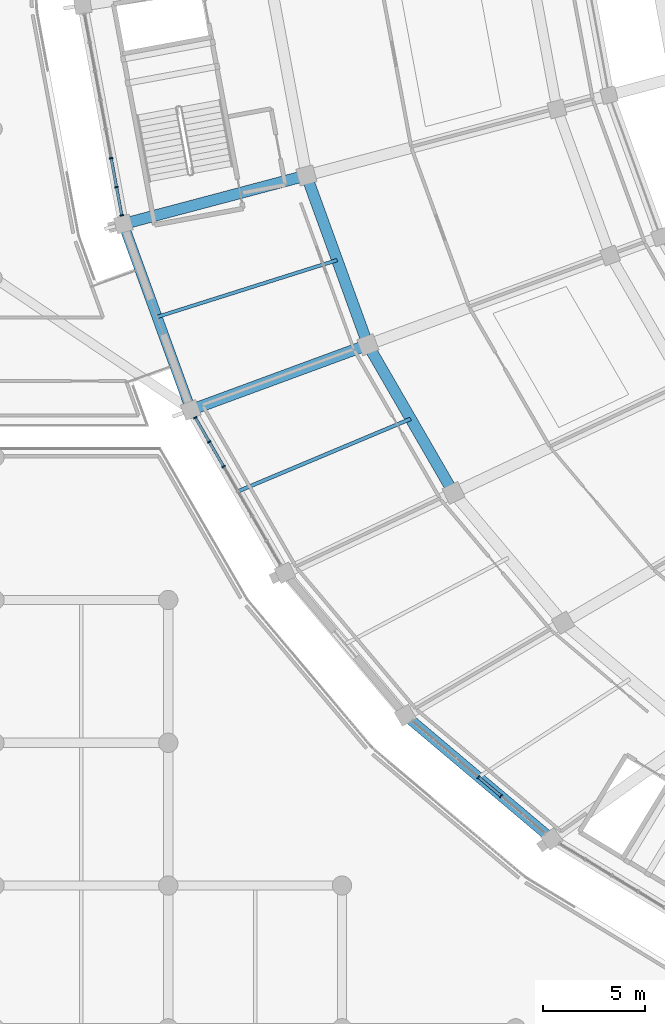
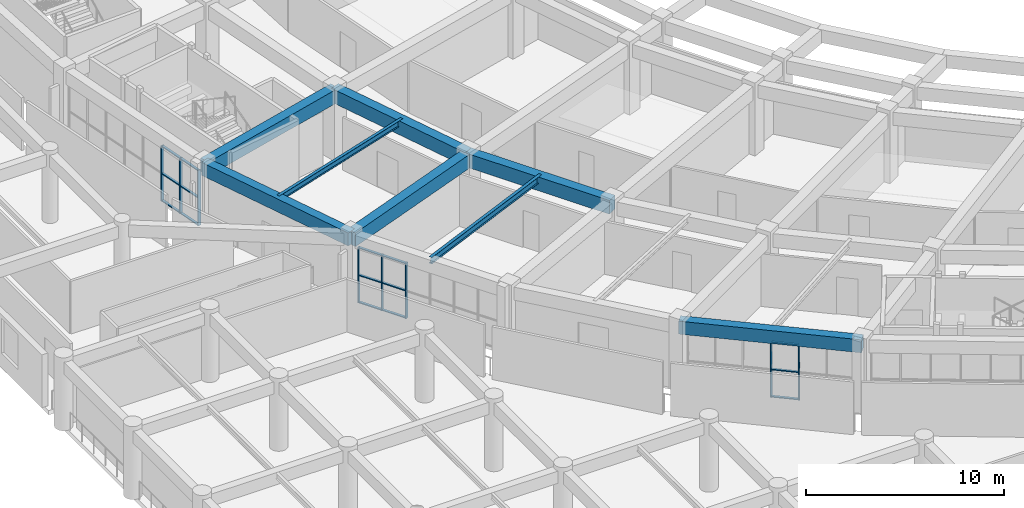
# One storey, part 18 of 145: 23 members, 8 beams, 3 elements without a shape of their own.
"""IFC4 building model written with IfcOpenShell, lengths in metres."""

import ifcopenshell
import ifcopenshell.guid

model = None  # the IFC model being written
_history = None  # IfcOwnerHistory: only IFC2X3 demands one
_inside = {}  # id of a spatial element -> (the spatial element, [elements in it])
_under = {}  # id of a project, library or spatial element -> (it, [spatial elements below it])
_declared = {}  # id of a project -> (the project, [libraries it declares])
_typed = {}  # id of a type object -> (the type object, [elements of that type])
_made_of = {}  # id of a material, layer set ... -> (it, [elements and type objects made of it])


def new_model(schema):
    """Start an empty IFC model of exactly this schema.

    Asked for "IFC4X3", IfcOpenShell would pick the latest addendum, in which some entities
    have other attributes; the version numbers below select the first issue.
    IFC2X3 requires an IfcOwnerHistory on every rooted entity: one is made here for all.
    """
    global model, _history
    if schema == "IFC4X3":
        model = ifcopenshell.file(schema_version=(4, 3, 0, 0))
    else:
        model = ifcopenshell.file(schema=schema)
    _inside.clear()
    _under.clear()
    _declared.clear()
    _typed.clear()
    _made_of.clear()
    _history = None
    if model.schema == "IFC2X3":
        org = make("IfcOrganization", Name="unknown")
        user = make(
            "IfcPersonAndOrganization",
            ThePerson=make("IfcPerson", FamilyName="unknown"),
            TheOrganization=org,
        )
        app = make(
            "IfcApplication",
            ApplicationDeveloper=org,
            Version="unknown",
            ApplicationFullName="unknown",
            ApplicationIdentifier="unknown",
        )
        _history = make(
            "IfcOwnerHistory",
            OwningUser=user,
            OwningApplication=app,
            ChangeAction="ADDED",
            CreationDate=0,
        )
    return model


def make(cls, **values):
    """One entity of the class cls with the attributes given. An attribute that is None is left unset."""
    return model.create_entity(
        cls, **{name: value for name, value in values.items() if value is not None}
    )


def rooted(cls, **values):
    """An entity with a GlobalId (a new one), such as an element, a storey or a relation."""
    return make(cls, GlobalId=ifcopenshell.guid.new(), OwnerHistory=_history, **values)


def si_unit(unit_type, name, prefix=None):
    """IfcSIUnit, for example si_unit("LENGTHUNIT", "METRE", prefix="MILLI")."""
    return make("IfcSIUnit", UnitType=unit_type, Prefix=prefix, Name=name)


def assignment(units):
    """IfcUnitAssignment: the units of a project."""
    return None if units is None else make("IfcUnitAssignment", Units=units)


def point(xyz):
    """IfcCartesianPoint."""
    return None if xyz is None else make("IfcCartesianPoint", Coordinates=xyz)


def direction(xyz):
    """IfcDirection."""
    return None if xyz is None else make("IfcDirection", DirectionRatios=xyz)


def frame(location, z_axis=None, x_axis=None):
    """IfcAxis2Placement3D, a coordinate frame: its origin and axes. An axis left out is left unset."""
    return make(
        "IfcAxis2Placement3D",
        Location=point(location),
        Axis=direction(z_axis),
        RefDirection=direction(x_axis),
    )


def frame_2d(location, x_axis=None):
    """IfcAxis2Placement2D, a coordinate frame in the plane: its origin and x axis."""
    return make(
        "IfcAxis2Placement2D", Location=point(location), RefDirection=direction(x_axis)
    )


def origin():
    """The frame at (0, 0, 0) with its axes left unset."""
    return frame((0.0, 0.0, 0.0))


def origin_2d():
    """The frame at (0, 0) in the plane with its x axis left unset."""
    return frame_2d((0.0, 0.0))


def place(relative_to, where):
    """IfcLocalPlacement: puts the frame where relative to a parent placement (None: the world)."""
    return make(
        "IfcLocalPlacement", PlacementRelTo=relative_to, RelativePlacement=where
    )


def context(
    kind, dimensions, precision=None, world=None, true_north=None, identifier=None
):
    """IfcGeometricRepresentationContext, for example the 3D "Model" context."""
    return make(
        "IfcGeometricRepresentationContext",
        ContextIdentifier=identifier,
        ContextType=kind,
        CoordinateSpaceDimension=dimensions,
        Precision=precision,
        WorldCoordinateSystem=world,
        TrueNorth=true_north,
    )


def subcontext(parent, identifier, kind, view, scale=None):
    """IfcGeometricRepresentationSubContext, for example "Body" below "Model"."""
    return make(
        "IfcGeometricRepresentationSubContext",
        ContextIdentifier=identifier,
        ContextType=kind,
        ParentContext=parent,
        TargetScale=scale,
        TargetView=view,
    )


def project(units=None, contexts=None):
    """IfcProject with its units and contexts."""
    return rooted(
        "IfcProject",
        Name="project",
        RepresentationContexts=contexts,
        UnitsInContext=assignment(units),
    )


def spatial(cls, under=None, at=None, **own):
    """A site, building, storey or space (cls), placed at a placement, below another one or the project."""
    s = rooted(cls, ObjectPlacement=at, **own)
    if under is not None:
        _under.setdefault(under.id(), (under, []))[1].append(s)
    return s


def profile(cls, at=None, kind="AREA", **sizes):
    """A parametric profile (cls). Its sizes go by their IFC names, for example OverallWidth=200.0."""
    return make(cls, ProfileType=kind, Position=at, **sizes)


def rectangle(**sizes):
    """IfcRectangleProfileDef."""
    return profile("IfcRectangleProfileDef", **sizes)


def i_section(**sizes):
    """IfcIShapeProfileDef."""
    return profile("IfcIShapeProfileDef", **sizes)


def extrude(swept, where, along, depth):
    """IfcExtrudedAreaSolid: the profile swept, set in the frame where, extruded along a direction by depth."""
    return make(
        "IfcExtrudedAreaSolid",
        SweptArea=swept,
        Position=where,
        ExtrudedDirection=direction(along),
        Depth=depth,
    )


def shape(context_of_items, identifier, shape_type, items):
    """IfcShapeRepresentation: the items that make up one representation, for example the "Body"."""
    return make(
        "IfcShapeRepresentation",
        ContextOfItems=context_of_items,
        RepresentationIdentifier=identifier,
        RepresentationType=shape_type,
        Items=items,
    )


def material(Name=None, Category=None):
    """IfcMaterial."""
    return make("IfcMaterial", Name=Name, Category=Category)


def layer(
    of_material, thickness, ventilated=None, Name=None, Category=None, Priority=None
):
    """IfcMaterialLayer: one layer of a wall or slab, of a material (None: an air gap)."""
    return make(
        "IfcMaterialLayer",
        Material=of_material,
        LayerThickness=thickness,
        IsVentilated=ventilated,
        Name=Name,
        Category=Category,
        Priority=Priority,
    )


def layer_set(layers, Name=None):
    """IfcMaterialLayerSet."""
    return make("IfcMaterialLayerSet", MaterialLayers=layers, LayerSetName=Name)


def material_profile(
    of_material, cross_section, Name=None, Category=None, Priority=None
):
    """IfcMaterialProfile: a cross section and its material."""
    return make(
        "IfcMaterialProfile",
        Name=Name,
        Material=of_material,
        Profile=cross_section,
        Priority=Priority,
        Category=Category,
    )


def profile_set(profiles, Name=None, composite=None):
    """IfcMaterialProfileSet."""
    return make(
        "IfcMaterialProfileSet",
        Name=Name,
        MaterialProfiles=profiles,
        CompositeProfile=composite,
    )


def made_of(thing, what):
    """Note that an element or type object is made of a material, layer set ...; save() writes the relation."""
    if what is not None:
        _made_of.setdefault(what.id(), (what, []))[1].append(thing)
    return thing


def type_object(cls, material=None, **own):
    """A type object (cls), such as IfcWallType, which elements share."""
    return made_of(rooted(cls, **own), material)


def element(
    cls,
    number,
    at=None,
    inside=None,
    cuts=None,
    type_object=None,
    material=None,
    context=None,
    identifier="Body",
    shape_type=None,
    held_by="IfcProductDefinitionShape",
    body=None,
    shapes=None,
    **own,
):
    """One element of the class cls, such as IfcWall. Its Tag is "e" and its number.

    at: its placement. inside: the storey or other place that contains it. cuts: it is an
    opening in that element (IfcRelVoidsElement). A single representation is given by context,
    identifier, shape_type and body (its items); several are given by shapes. held_by: the class
    of the entity that holds the representations. save() writes the other relations.
    """
    e = rooted(cls, Tag="e%d" % number, ObjectPlacement=at, **own)
    if body is not None:
        shapes = [shape(context, identifier, shape_type, body)]
    if shapes is not None:
        e.Representation = make(held_by, Representations=shapes)
    if inside is not None:
        _inside.setdefault(inside.id(), (inside, []))[1].append(e)
    if cuts is not None:
        rooted(
            "IfcRelVoidsElement", RelatingBuildingElement=cuts, RelatedOpeningElement=e
        )
    if type_object is not None:
        _typed.setdefault(type_object.id(), (type_object, []))[1].append(e)
    return made_of(e, material)


def aggregate(whole, parts):
    """IfcRelAggregates: a whole, such as a stair, and the parts it consists of."""
    return rooted("IfcRelAggregates", RelatingObject=whole, RelatedObjects=parts)


def save(model, path):
    """Write the relations noted so far, then the file.

    IfcRelAggregates (storeys below a building ...), IfcRelContainedInSpatialStructure (elements
    in a storey), IfcRelDefinesByType, IfcRelAssociatesMaterial and IfcRelDeclares: one each for
    every whole, place, type object, material and project.
    """
    for whole, parts in _under.values():
        aggregate(whole, parts)
    for where, things in _inside.values():
        rooted(
            "IfcRelContainedInSpatialStructure",
            RelatedElements=things,
            RelatingStructure=where,
        )
    for kind, things in _typed.values():
        rooted("IfcRelDefinesByType", RelatedObjects=things, RelatingType=kind)
    for what, things in _made_of.values():
        rooted("IfcRelAssociatesMaterial", RelatedObjects=things, RelatingMaterial=what)
    for by, libraries in _declared.values():
        rooted("IfcRelDeclares", RelatingContext=by, RelatedDefinitions=libraries)
    model.write(path)


model = new_model("IFC4")

# Units and contexts
model_context = context("Model", 3, precision=1e-05, world=origin(), true_north=direction((0.0, 1.0)))
body_context = subcontext(model_context, "Body", "Model", "MODEL_VIEW")
ifc_project = project(units=[si_unit("LENGTHUNIT", "METRE"), si_unit("AREAUNIT", "SQUARE_METRE"), si_unit("VOLUMEUNIT", "CUBIC_METRE"), si_unit("PLANEANGLEUNIT", "RADIAN"), si_unit("MASSUNIT", "GRAM", prefix="KILO")], contexts=[model_context])

# Site, building, storey
site_placement = place(None, origin())
site = spatial("IfcSite", under=ifc_project, at=site_placement, CompositionType="ELEMENT")
building_placement = place(site_placement, origin())
building = spatial("IfcBuilding", under=site, at=building_placement, Name="Mphavela Belvedere Stadium", CompositionType="ELEMENT")
storey_placement = place(building_placement, frame((0.0, 0.0, 10.199951171875)))
storey = spatial("IfcBuildingStorey", under=building, at=storey_placement, Name="L02", CompositionType="ELEMENT", Elevation=10.199951171875)

# Beams
ifc_material_1 = material(Name="Steel S355", Category="steel")
ifc_material_profile_1 = material_profile(ifc_material_1, i_section(OverallWidth=0.169921875, OverallDepth=0.360107421875, WebThickness=0.008056640625, FlangeThickness=0.0126953125, at=origin_2d()), Name="IPE 360")
ifc_profile_set_1 = profile_set([ifc_material_profile_1], Name="Steel S355")
beam_type_1 = type_object("IfcBeamType", Name="BM-JOIST-IPE360", PredefinedType="JOIST", material=ifc_profile_set_1)
beam_1_placement = place(storey_placement, frame((25.318359375, 58.6669921875, 4.070068359375), z_axis=(-0.953544002003, -0.301253773826, 0.0), x_axis=(0.301253773826, -0.953544002003, 0.0)))
element("IfcBeam", 1, at=beam_1_placement, inside=storey, type_object=beam_type_1, Name="Concourse floor joist L02-27", PredefinedType="JOIST", context=body_context, shape_type="SweptSolid", body=[
    extrude(i_section(OverallWidth=0.169921875, OverallDepth=0.360107421875, WebThickness=0.008056640625, FlangeThickness=0.0126953125, at=origin_2d()), origin(), (0.0, 0.0, 1.0), 9.259033203125),
])
ifc_material_2 = material(Name="Steel S355", Category="steel")
ifc_material_profile_2 = material_profile(ifc_material_2, i_section(OverallWidth=0.179931640625, OverallDepth=0.39990234375, WebThickness=0.008544921875, FlangeThickness=0.013427734375, at=origin_2d()), Name="IPE 400")
ifc_profile_set_2 = profile_set([ifc_material_profile_2], Name="Steel S355")
beam_type_2 = type_object("IfcBeamType", Name="BM-JOIST-IPE400", PredefinedType="JOIST", material=ifc_profile_set_2)
beam_2_placement = place(storey_placement, frame((28.924560546875, 50.8837890625, 4.050048828125), z_axis=(-0.922112756047, -0.386921264775, 0.0), x_axis=(0.386921264775, -0.922112756047, 0.0)))
element("IfcBeam", 2, at=beam_2_placement, inside=storey, type_object=beam_type_2, Name="Concourse floor joist L02-28", PredefinedType="JOIST", context=body_context, shape_type="SweptSolid", body=[
    extrude(i_section(OverallWidth=0.179931640625, OverallDepth=0.39990234375, WebThickness=0.008544921875, FlangeThickness=0.013427734375, at=origin_2d()), origin(), (0.0, 0.0, 1.0), 9.189697265625),
])
ifc_material_3 = material(Name="Concrete C40/50", Category="concrete")
ifc_material_profile_3 = material_profile(ifc_material_3, rectangle(XDim=0.550048828125, YDim=0.85009765625, at=origin_2d()), Name="RC 550x850")
ifc_profile_set_3 = profile_set([ifc_material_profile_3], Name="Concrete C40/50")
beam_type_3 = type_object("IfcBeamType", Name="BM-RC550x850", PredefinedType="BEAM", material=ifc_profile_set_3)
beam_3_placement = place(storey_placement, frame((23.8125, 62.818115234375, 3.824951171875), z_axis=(0.341030504348, -0.940052229987, 0.0), x_axis=(0.940052229987, 0.341030504348, 0.0)))
element("IfcBeam", 3, at=beam_3_placement, inside=storey, type_object=beam_type_3, Name="Circumferential girder L02 R3-27", PredefinedType="BEAM", context=body_context, shape_type="SweptSolid", body=[
    extrude(rectangle(XDim=0.550048828125, YDim=0.85009765625, at=origin_2d()), origin(), (0.0, 0.0, 1.0), 8.83203125),
])
beam_4_placement = place(storey_placement, frame((23.8125, 62.818115234375, 3.824951171875), z_axis=(-0.966589609073, -0.256328944196, 0.0), x_axis=(0.256328944196, -0.966589609073, 0.0)))
element("IfcBeam", 4, at=beam_4_placement, inside=storey, type_object=beam_type_3, Name="Radial concourse girder L02 R3R4-27", PredefinedType="BEAM", context=body_context, shape_type="SweptSolid", body=[
    extrude(rectangle(XDim=0.550048828125, YDim=0.85009765625, at=origin_2d()), origin(), (0.0, 0.0, 1.0), 9.287353515625),
])
beam_5_placement = place(storey_placement, frame((26.824462890625, 54.515625, 3.824951171875), z_axis=(0.500547586322, -0.865709023765, 0.0), x_axis=(0.865709023765, 0.500547586322, 0.0)))
element("IfcBeam", 5, at=beam_5_placement, inside=storey, type_object=beam_type_3, Name="Circumferential girder L02 R3-28", PredefinedType="BEAM", context=body_context, shape_type="SweptSolid", body=[
    extrude(rectangle(XDim=0.550048828125, YDim=0.85009765625, at=origin_2d()), origin(), (0.0, 0.0, 1.0), 8.390625),
])
beam_6_placement = place(storey_placement, frame((26.824462890625, 54.515625, 3.824951171875), z_axis=(-0.938348073025, -0.345691905967, 0.0), x_axis=(0.345691905967, -0.938348073025, 0.0)))
element("IfcBeam", 6, at=beam_6_placement, inside=storey, type_object=beam_type_3, Name="Radial concourse girder L02 R3R4-28", PredefinedType="BEAM", context=body_context, shape_type="SweptSolid", body=[
    extrude(rectangle(XDim=0.550048828125, YDim=0.85009765625, at=origin_2d()), origin(), (0.0, 0.0, 1.0), 9.2509765625),
])
ifc_material_4 = material(Name="Concrete C40/50", Category="concrete")
ifc_material_profile_4 = material_profile(ifc_material_4, rectangle(XDim=0.5, YDim=0.800048828125, at=origin_2d()), Name="RC 500x800")
ifc_profile_set_4 = profile_set([ifc_material_profile_4], Name="Concrete C40/50")
beam_type_4 = type_object("IfcBeamType", Name="BM-SPANDREL-800", PredefinedType="SPANDREL", material=ifc_profile_set_4)
beam_7_placement = place(storey_placement, frame((14.83544921875, 60.4375, 3.85009765625), z_axis=(0.341017570596, -0.94005692197, 0.0), x_axis=(0.94005692197, 0.341017570596, 0.0)))
element("IfcBeam", 7, at=beam_7_placement, inside=storey, type_object=beam_type_4, Name="Circumferential girder L02 R4-27", PredefinedType="SPANDREL", context=body_context, shape_type="SweptSolid", body=[
    extrude(rectangle(XDim=0.5, YDim=0.800048828125, at=origin_2d()), origin(), (0.0, 0.0, 1.0), 9.701416015625),
])
beam_8_placement = place(storey_placement, frame((28.66162109375, 36.346435546875, 3.85009765625), z_axis=(0.76426547638, -0.644901761212, 0.0), x_axis=(0.644901761212, 0.76426547638, 0.0)))
element("IfcBeam", 8, at=beam_8_placement, inside=storey, type_object=beam_type_4, Name="Circumferential girder L02 R4-30", PredefinedType="SPANDREL", context=body_context, shape_type="SweptSolid", body=[
    extrude(rectangle(XDim=0.5, YDim=0.800048828125, at=origin_2d()), origin(), (0.0, 0.0, 1.0), 9.3984375),
])

# Curtain wall, members
ifc_material_5 = material(Name="Anodised bronze unitised curtain wall framing")
ifc_layer_1 = layer(ifc_material_5, 0.195068359375)
ifc_layer_set_1 = layer_set([ifc_layer_1], Name="Anodised bronze unitised curtain wall framing")
curtain_wall_type_1 = type_object("IfcCurtainWallType", Name="CW-UNIT-04", PredefinedType="USERDEFINED", material=ifc_layer_set_1)
curtain_wall_1_placement = place(storey_placement, origin())
curtain_wall_1 = element("IfcCurtainWall", 9, at=curtain_wall_1_placement, inside=storey, type_object=curtain_wall_type_1, Name="Belvedere colonnade curtain wall L02-26", ObjectType="UNITISED CURTAIN WALL", PredefinedType="USERDEFINED")
ifc_material_6 = material(Name="Anodised bronze extruded aluminium", Category="aluminium")
ifc_material_profile_5 = material_profile(ifc_material_6, rectangle(XDim=0.179931640625, YDim=0.06494140625, at=origin_2d()), Name="CW-MUL 180x65")
ifc_profile_set_5 = profile_set([ifc_material_profile_5], Name="Anodised bronze extruded aluminium")
member_type_1 = type_object("IfcMemberType", Name="CWM-180x65", PredefinedType="MULLION", material=ifc_profile_set_5)
member_1_placement = place(storey_placement, frame((14.2353515625, 63.667236328125, 0.0), z_axis=(0.0, 0.0, 1.0), x_axis=(0.983182568174, 0.182625402503, 0.0)))
member_1 = element("IfcMember", 10, at=member_1_placement, type_object=member_type_1, Name="CW-04 mullion 6", PredefinedType="MULLION", context=body_context, shape_type="SweptSolid", body=[
    extrude(rectangle(XDim=0.179931640625, YDim=0.06494140625, at=origin_2d()), origin(), (0.0, 0.0, 1.0), 3.420166015625),
])
member_2_placement = place(storey_placement, frame((14.4990234375, 62.248046875, 0.0), z_axis=(0.0, 0.0, 1.0), x_axis=(0.983182568174, 0.182625402503, 0.0)))
member_2 = element("IfcMember", 11, at=member_2_placement, type_object=member_type_1, Name="CW-04 mullion 7", PredefinedType="MULLION", context=body_context, shape_type="SweptSolid", body=[
    extrude(rectangle(XDim=0.179931640625, YDim=0.06494140625, at=origin_2d()), origin(), (0.0, 0.0, 1.0), 3.420166015625),
])
member_3_placement = place(storey_placement, frame((14.7568359375, 60.86083984375, 0.0), z_axis=(0.0, 0.0, 1.0), x_axis=(0.983182568174, 0.182625402503, 0.0)))
member_3 = element("IfcMember", 12, at=member_3_placement, type_object=member_type_1, Name="CW-04 mullion 8", PredefinedType="MULLION", context=body_context, shape_type="SweptSolid", body=[
    extrude(rectangle(XDim=0.179931640625, YDim=0.06494140625, at=origin_2d()), origin(), (0.0, 0.0, 1.0), 3.420166015625),
])

ifc_material_7 = material(Name="Anodised bronze unitised curtain wall framing")
ifc_layer_2 = layer(ifc_material_7, 0.199951171875)
ifc_layer_set_2 = layer_set([ifc_layer_2], Name="Anodised bronze unitised curtain wall framing")
curtain_wall_type_2 = type_object("IfcCurtainWallType", Name="CW-UNIT-05", PredefinedType="USERDEFINED", material=ifc_layer_set_2)
curtain_wall_2_placement = place(storey_placement, origin())
curtain_wall_2 = element("IfcCurtainWall", 13, at=curtain_wall_2_placement, inside=storey, type_object=curtain_wall_type_2, Name="Belvedere colonnade curtain wall L02-28", ObjectType="UNITISED CURTAIN WALL", PredefinedType="USERDEFINED")
member_4_placement = place(storey_placement, frame((18.359375, 50.945068359375, 0.0), z_axis=(0.0, 0.0, 1.0), x_axis=(0.865700418213, 0.500562469533, 0.0)))
member_4 = element("IfcMember", 14, at=member_4_placement, type_object=member_type_1, Name="CW-05 mullion 1", PredefinedType="MULLION", context=body_context, shape_type="SweptSolid", body=[
    extrude(rectangle(XDim=0.179931640625, YDim=0.06494140625, at=origin_2d()), origin(), (0.0, 0.0, 1.0), 3.420166015625),
])
member_5_placement = place(storey_placement, frame((19.045654296875, 49.758056640625, 0.0), z_axis=(0.0, 0.0, 1.0), x_axis=(0.865700418213, 0.500562469533, 0.0)))
member_5 = element("IfcMember", 15, at=member_5_placement, type_object=member_type_1, Name="CW-05 mullion 2", PredefinedType="MULLION", context=body_context, shape_type="SweptSolid", body=[
    extrude(rectangle(XDim=0.179931640625, YDim=0.06494140625, at=origin_2d()), origin(), (0.0, 0.0, 1.0), 3.420166015625),
])
member_6_placement = place(storey_placement, frame((19.748046875, 48.543212890625, 0.0), z_axis=(0.0, 0.0, 1.0), x_axis=(0.865700418213, 0.500562469533, 0.0)))
member_6 = element("IfcMember", 16, at=member_6_placement, type_object=member_type_1, Name="CW-05 mullion 3", PredefinedType="MULLION", context=body_context, shape_type="SweptSolid", body=[
    extrude(rectangle(XDim=0.179931640625, YDim=0.06494140625, at=origin_2d()), origin(), (0.0, 0.0, 1.0), 3.420166015625),
])

ifc_material_8 = material(Name="Anodised bronze unitised curtain wall framing")
ifc_layer_3 = layer(ifc_material_8, 0.205078125)
ifc_layer_set_3 = layer_set([ifc_layer_3], Name="Anodised bronze unitised curtain wall framing")
curtain_wall_type_3 = type_object("IfcCurtainWallType", Name="CW-UNIT-06", PredefinedType="USERDEFINED", material=ifc_layer_set_3)
curtain_wall_3_placement = place(storey_placement, origin())
curtain_wall_3 = element("IfcCurtainWall", 17, at=curtain_wall_3_placement, inside=storey, type_object=curtain_wall_type_3, Name="Belvedere colonnade curtain wall L02-30", ObjectType="UNITISED CURTAIN WALL", PredefinedType="USERDEFINED")
member_7_placement = place(storey_placement, frame((32.2529296875, 33.31591796875, 0.0), z_axis=(0.0, 0.0, 1.0), x_axis=(0.644907225915, 0.764260865126, 0.0)))
member_7 = element("IfcMember", 18, at=member_7_placement, type_object=member_type_1, Name="CW-06 mullion 4", PredefinedType="MULLION", context=body_context, shape_type="SweptSolid", body=[
    extrude(rectangle(XDim=0.179931640625, YDim=0.06494140625, at=origin_2d()), origin(), (0.0, 0.0, 1.0), 3.420166015625),
])
member_8_placement = place(storey_placement, frame((33.348876953125, 32.391357421875, 0.0), z_axis=(0.0, 0.0, 1.0), x_axis=(0.644907225915, 0.764260865126, 0.0)))
member_8 = element("IfcMember", 19, at=member_8_placement, type_object=member_type_1, Name="CW-06 mullion 5", PredefinedType="MULLION", context=body_context, shape_type="SweptSolid", body=[
    extrude(rectangle(XDim=0.179931640625, YDim=0.06494140625, at=origin_2d()), origin(), (0.0, 0.0, 1.0), 3.420166015625),
])

# Member
ifc_material_9 = material(Name="Anodised bronze extruded aluminium", Category="aluminium")
ifc_material_profile_6 = material_profile(ifc_material_9, rectangle(XDim=0.139892578125, YDim=0.06005859375, at=origin_2d()), Name="CW-TRN 140x60")
ifc_profile_set_6 = profile_set([ifc_material_profile_6], Name="Anodised bronze extruded aluminium")
member_type_2 = type_object("IfcMemberType", Name="CWT-140x60", PredefinedType="USERDEFINED", material=ifc_profile_set_6)
member_9_placement = place(storey_placement, frame((14.241455078125, 63.635498046875, 0.030029296875), z_axis=(0.182577520933, -0.983191460932, 0.0), x_axis=(0.983191460932, 0.182577520933, 0.0)))
member_9 = element("IfcMember", 20, at=member_9_placement, type_object=member_type_2, Name="CW-04 transom 6.1", ObjectType="TRANSOM", PredefinedType="USERDEFINED", context=body_context, shape_type="SweptSolid", body=[
    extrude(rectangle(XDim=0.139892578125, YDim=0.06005859375, at=origin_2d()), origin(), (0.0, 0.0, 1.0), 1.378662109375),
])

member_10_placement = place(storey_placement, frame((14.241455078125, 63.635498046875, 1.7099609375), z_axis=(0.182577520933, -0.983191460932, 0.0), x_axis=(0.983191460932, 0.182577520933, 0.0)))
member_10 = element("IfcMember", 21, at=member_10_placement, type_object=member_type_2, Name="CW-04 transom 6.2", ObjectType="TRANSOM", PredefinedType="USERDEFINED", context=body_context, shape_type="SweptSolid", body=[
    extrude(rectangle(XDim=0.139892578125, YDim=0.06005859375, at=origin_2d()), origin(), (0.0, 0.0, 1.0), 1.378662109375),
])

member_11_placement = place(storey_placement, frame((14.241455078125, 63.635498046875, 3.39013671875), z_axis=(0.182577520933, -0.983191460932, 0.0), x_axis=(0.983191460932, 0.182577520933, 0.0)))
member_11 = element("IfcMember", 22, at=member_11_placement, type_object=member_type_2, Name="CW-04 transom 6.3", ObjectType="TRANSOM", PredefinedType="USERDEFINED", context=body_context, shape_type="SweptSolid", body=[
    extrude(rectangle(XDim=0.139892578125, YDim=0.06005859375, at=origin_2d()), origin(), (0.0, 0.0, 1.0), 1.378662109375),
])

member_12_placement = place(storey_placement, frame((14.505126953125, 62.216064453125, 0.030029296875), z_axis=(0.1824919897, -0.983207340135, 0.0), x_axis=(0.983207340135, 0.1824919897, 0.0)))
member_12 = element("IfcMember", 23, at=member_12_placement, type_object=member_type_2, Name="CW-04 transom 7.1", ObjectType="TRANSOM", PredefinedType="USERDEFINED", context=body_context, shape_type="SweptSolid", body=[
    extrude(rectangle(XDim=0.139892578125, YDim=0.06005859375, at=origin_2d()), origin(), (0.0, 0.0, 1.0), 1.345947265625),
])

member_13_placement = place(storey_placement, frame((14.505126953125, 62.216064453125, 1.7099609375), z_axis=(0.1824919897, -0.983207340135, 0.0), x_axis=(0.983207340135, 0.1824919897, 0.0)))
member_13 = element("IfcMember", 24, at=member_13_placement, type_object=member_type_2, Name="CW-04 transom 7.2", ObjectType="TRANSOM", PredefinedType="USERDEFINED", context=body_context, shape_type="SweptSolid", body=[
    extrude(rectangle(XDim=0.139892578125, YDim=0.06005859375, at=origin_2d()), origin(), (0.0, 0.0, 1.0), 1.345947265625),
])

member_14_placement = place(storey_placement, frame((14.505126953125, 62.216064453125, 3.39013671875), z_axis=(0.1824919897, -0.983207340135, 0.0), x_axis=(0.983207340135, 0.1824919897, 0.0)))
member_14 = element("IfcMember", 25, at=member_14_placement, type_object=member_type_2, Name="CW-04 transom 7.3", ObjectType="TRANSOM", PredefinedType="USERDEFINED", context=body_context, shape_type="SweptSolid", body=[
    extrude(rectangle(XDim=0.139892578125, YDim=0.06005859375, at=origin_2d()), origin(), (0.0, 0.0, 1.0), 1.345947265625),
])

aggregate(curtain_wall_1, [member_1, member_2, member_3, member_9, member_10, member_11, member_12, member_13, member_14])

member_15_placement = place(storey_placement, frame((18.375732421875, 50.916748046875, 0.030029296875), z_axis=(0.500461351318, -0.865758878578, 0.0), x_axis=(0.865758878578, 0.500461351318, 0.0)))
member_15 = element("IfcMember", 26, at=member_15_placement, type_object=member_type_2, Name="CW-05 transom 1.1", ObjectType="TRANSOM", PredefinedType="USERDEFINED", context=body_context, shape_type="SweptSolid", body=[
    extrude(rectangle(XDim=0.139892578125, YDim=0.06005859375, at=origin_2d()), origin(), (0.0, 0.0, 1.0), 1.305908203125),
])

member_16_placement = place(storey_placement, frame((18.375732421875, 50.916748046875, 1.7099609375), z_axis=(0.500461351318, -0.865758878578, 0.0), x_axis=(0.865758878578, 0.500461351318, 0.0)))
member_16 = element("IfcMember", 27, at=member_16_placement, type_object=member_type_2, Name="CW-05 transom 1.2", ObjectType="TRANSOM", PredefinedType="USERDEFINED", context=body_context, shape_type="SweptSolid", body=[
    extrude(rectangle(XDim=0.139892578125, YDim=0.06005859375, at=origin_2d()), origin(), (0.0, 0.0, 1.0), 1.305908203125),
])

member_17_placement = place(storey_placement, frame((18.375732421875, 50.916748046875, 3.39013671875), z_axis=(0.500461351318, -0.865758878578, 0.0), x_axis=(0.865758878578, 0.500461351318, 0.0)))
member_17 = element("IfcMember", 28, at=member_17_placement, type_object=member_type_2, Name="CW-05 transom 1.3", ObjectType="TRANSOM", PredefinedType="USERDEFINED", context=body_context, shape_type="SweptSolid", body=[
    extrude(rectangle(XDim=0.139892578125, YDim=0.06005859375, at=origin_2d()), origin(), (0.0, 0.0, 1.0), 1.305908203125),
])

member_18_placement = place(storey_placement, frame((19.06201171875, 49.72998046875, 0.030029296875), z_axis=(0.50053285549, -0.865717540873, 0.0), x_axis=(0.865717540873, 0.50053285549, 0.0)))
member_18 = element("IfcMember", 29, at=member_18_placement, type_object=member_type_2, Name="CW-05 transom 2.1", ObjectType="TRANSOM", PredefinedType="USERDEFINED", context=body_context, shape_type="SweptSolid", body=[
    extrude(rectangle(XDim=0.139892578125, YDim=0.06005859375, at=origin_2d()), origin(), (0.0, 0.0, 1.0), 1.33837890625),
])

member_19_placement = place(storey_placement, frame((19.06201171875, 49.72998046875, 1.7099609375), z_axis=(0.50053285549, -0.865717540873, 0.0), x_axis=(0.865717540873, 0.50053285549, 0.0)))
member_19 = element("IfcMember", 30, at=member_19_placement, type_object=member_type_2, Name="CW-05 transom 2.2", ObjectType="TRANSOM", PredefinedType="USERDEFINED", context=body_context, shape_type="SweptSolid", body=[
    extrude(rectangle(XDim=0.139892578125, YDim=0.06005859375, at=origin_2d()), origin(), (0.0, 0.0, 1.0), 1.33837890625),
])

member_20_placement = place(storey_placement, frame((19.06201171875, 49.72998046875, 3.39013671875), z_axis=(0.50053285549, -0.865717540873, 0.0), x_axis=(0.865717540873, 0.50053285549, 0.0)))
member_20 = element("IfcMember", 31, at=member_20_placement, type_object=member_type_2, Name="CW-05 transom 2.3", ObjectType="TRANSOM", PredefinedType="USERDEFINED", context=body_context, shape_type="SweptSolid", body=[
    extrude(rectangle(XDim=0.139892578125, YDim=0.06005859375, at=origin_2d()), origin(), (0.0, 0.0, 1.0), 1.33837890625),
])

aggregate(curtain_wall_2, [member_4, member_5, member_6, member_15, member_16, member_17, member_18, member_19, member_20])

member_21_placement = place(storey_placement, frame((32.27783203125, 33.294921875, 0.030029296875), z_axis=(0.764332692147, -0.644822096175, 0.0), x_axis=(0.644822096175, 0.764332692147, 0.0)))
member_21 = element("IfcMember", 32, at=member_21_placement, type_object=member_type_2, Name="CW-06 transom 4.1", ObjectType="TRANSOM", PredefinedType="USERDEFINED", context=body_context, shape_type="SweptSolid", body=[
    extrude(rectangle(XDim=0.139892578125, YDim=0.06005859375, at=origin_2d()), origin(), (0.0, 0.0, 1.0), 1.36865234375),
])

member_22_placement = place(storey_placement, frame((32.27783203125, 33.294921875, 1.7099609375), z_axis=(0.764332692147, -0.644822096175, 0.0), x_axis=(0.644822096175, 0.764332692147, 0.0)))
member_22 = element("IfcMember", 33, at=member_22_placement, type_object=member_type_2, Name="CW-06 transom 4.2", ObjectType="TRANSOM", PredefinedType="USERDEFINED", context=body_context, shape_type="SweptSolid", body=[
    extrude(rectangle(XDim=0.139892578125, YDim=0.06005859375, at=origin_2d()), origin(), (0.0, 0.0, 1.0), 1.36865234375),
])

member_23_placement = place(storey_placement, frame((32.27783203125, 33.294921875, 3.39013671875), z_axis=(0.764332692147, -0.644822096175, 0.0), x_axis=(0.644822096175, 0.764332692147, 0.0)))
member_23 = element("IfcMember", 34, at=member_23_placement, type_object=member_type_2, Name="CW-06 transom 4.3", ObjectType="TRANSOM", PredefinedType="USERDEFINED", context=body_context, shape_type="SweptSolid", body=[
    extrude(rectangle(XDim=0.139892578125, YDim=0.06005859375, at=origin_2d()), origin(), (0.0, 0.0, 1.0), 1.36865234375),
])

aggregate(curtain_wall_3, [member_7, member_8, member_21, member_22, member_23])

save(model, "model.ifc")
